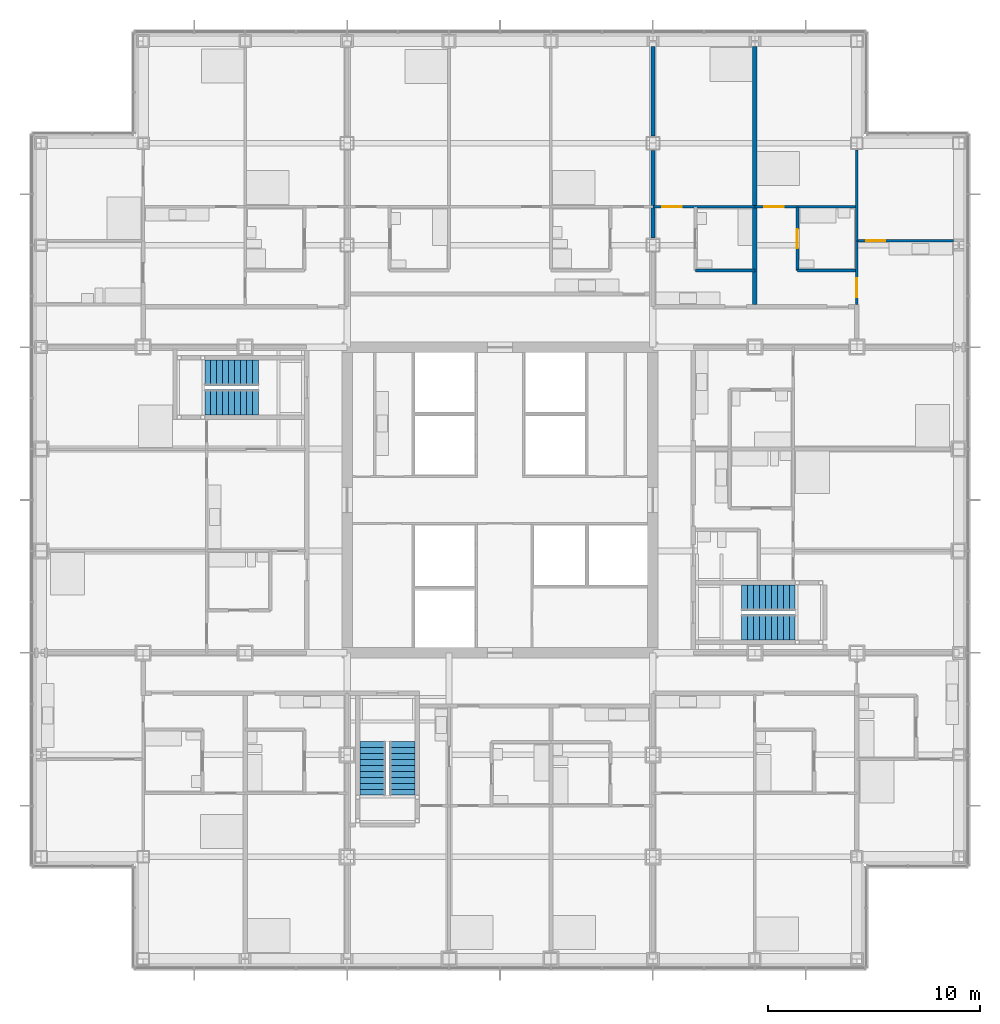
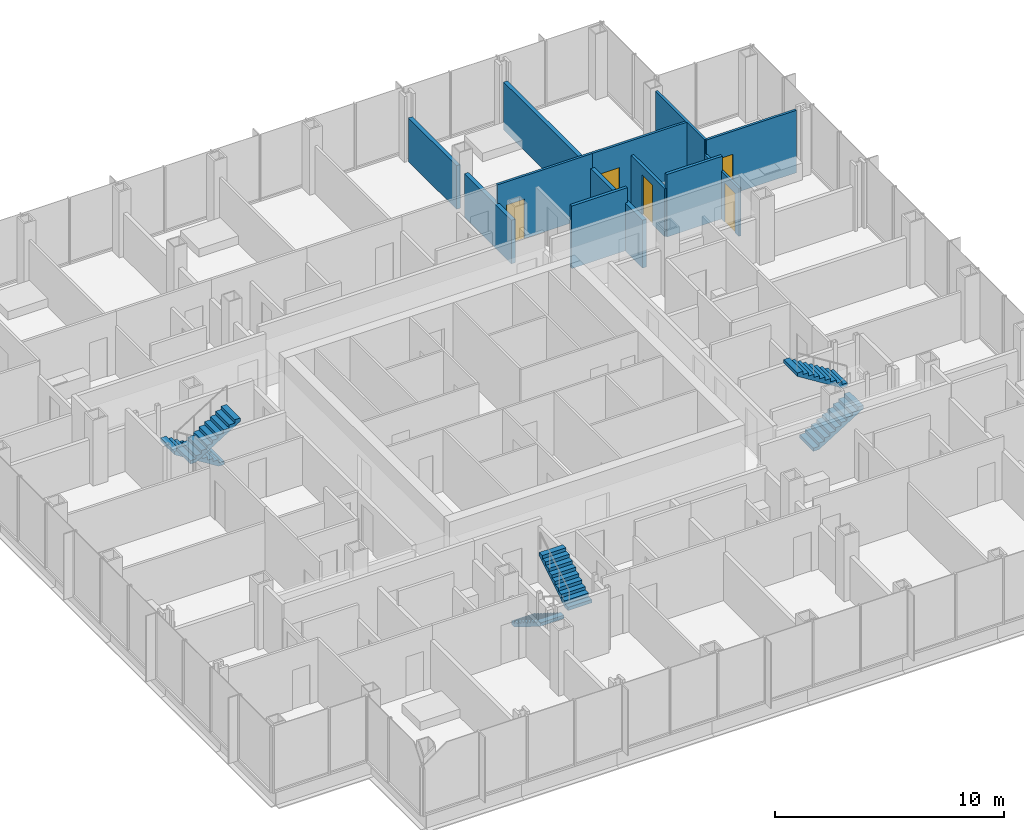
# One storey, part 18 of 21: 11 walls, 6 stair flights, 5 doors, 5 openings, 3 elements without a shape of their own.
"""IFC4 building model written with IfcOpenShell, lengths in metres."""

from ifc_helpers import new_model, si_unit, direction, frame, frame_2d, origin, place, context, subcontext, project, spatial, polyline, rectangle, outline, extrude, material, layer, layer_set, type_object, element, fill, aggregate, save


model = new_model("IFC4")

# Units and contexts
model_context = context("Model", 3, precision=1e-05, world=origin(), true_north=direction((0.0, 1.0)))
body_context = subcontext(model_context, "Body", "Model", "MODEL_VIEW")
ifc_project = project(units=[si_unit("LENGTHUNIT", "METRE"), si_unit("AREAUNIT", "SQUARE_METRE"), si_unit("VOLUMEUNIT", "CUBIC_METRE"), si_unit("PLANEANGLEUNIT", "RADIAN"), si_unit("MASSUNIT", "GRAM", prefix="KILO")], contexts=[model_context])

# Site, building, storey
site_placement = place(None, origin())
site = spatial("IfcSite", under=ifc_project, at=site_placement, CompositionType="ELEMENT")
building_placement = place(site_placement, origin())
building = spatial("IfcBuilding", under=site, at=building_placement, Name="Kvirike Care Tower", CompositionType="ELEMENT")
storey_placement = place(building_placement, frame((0.0, 0.0, 37.5)))
storey = spatial("IfcBuildingStorey", under=building, at=storey_placement, Name="L09", CompositionType="ELEMENT", Elevation=37.5)

# Wall, opening, door
ifc_material_1 = material(Name="Moisture-resistant board partition", Category="gypsum")
ifc_layer_1 = layer(ifc_material_1, 0.14990234375)
ifc_layer_set_1 = layer_set([ifc_layer_1], Name="BATHROOM WALL 150")
wall_type_1 = type_object("IfcWallType", Name="BATHROOM WALL 150", PredefinedType="PARTITIONING", material=ifc_layer_set_1)
wall_1_placement = place(storey_placement, frame((35.60009765625, 49.800048828125, 0.0), z_axis=(0.0, 0.0, 1.0), x_axis=(0.0, -1.0, 0.0)))
wall_1 = element("IfcWall", 1, at=wall_1_placement, inside=storey, type_object=wall_type_1, Name="Bathroom Wall 150 L09", PredefinedType="PARTITIONING", context=body_context, shape_type="SweptSolid", body=[
    extrude(rectangle(XDim=3.0, YDim=0.14990234375, at=frame_2d((1.5, 0.0))), origin(), (0.0, 0.0, 1.0), 2.550048828125),
])
opening_1_placement = place(wall_1_placement, frame((1.050048828125, 0.0, 0.0)))
opening_1 = element("IfcOpeningElement", 2, at=opening_1_placement, cuts=wall_1, Name="Opening 09-056", PredefinedType="OPENING", context=body_context, shape_type="SweptSolid", body=[
    extrude(rectangle(XDim=0.89990234375, YDim=2.10009765625, at=frame_2d((0.449951171875, 1.050048828125))), frame((0.0, 0.08544921875, 0.0), z_axis=(0.0, -1.0, 0.0), x_axis=(1.0, 0.0, 0.0)), (0.0, 0.0, 1.0), 0.1708984375),
])
ifc_material_2 = material(Name="Timber door set", Category="wood")
door_type_1 = type_object("IfcDoorType", Name="BATHROOM DOOR 900", OperationType="SINGLE_SWING_RIGHT", PredefinedType="DOOR", material=ifc_material_2)
door_1_placement = place(opening_1_placement, origin())
door_1 = element("IfcDoor", 3, at=door_1_placement, inside=storey, type_object=door_type_1, Name="Bathroom door", OperationType="SINGLE_SWING_LEFT", OverallHeight=2.10009765625, OverallWidth=0.89990234375, PredefinedType="DOOR", context=body_context, shape_type="SweptSolid", body=[
    extrude(rectangle(XDim=0.89990234375, YDim=2.10009765625, at=frame_2d((0.449951171875, 1.050048828125))), frame((0.0, 0.02197265625, 0.0), z_axis=(0.0, -1.0, 0.0), x_axis=(1.0, 0.0, 0.0)), (0.0, 0.0, 1.0), 0.0439453125),
])
fill(opening_1, door_1)

# Walls
wall_2_placement = place(storey_placement, frame((38.39990234375, 46.800048828125, 0.0), z_axis=(0.0, 0.0, 1.0), x_axis=(-1.0, 0.0, 0.0)))
element("IfcWall", 4, at=wall_2_placement, inside=storey, type_object=wall_type_1, Name="Bathroom Wall 150 L09", PredefinedType="PARTITIONING", context=body_context, shape_type="SweptSolid", body=[
    extrude(rectangle(XDim=2.7998046875, YDim=0.14990234375, at=frame_2d((1.39990234375, 0.0))), origin(), (0.0, 0.0, 1.0), 3.330078125),
])
wall_3_placement = place(storey_placement, frame((33.60009765625, 46.800048828125, 0.0), z_axis=(0.0, 0.0, 1.0), x_axis=(-1.0, 0.0, 0.0)))
element("IfcWall", 5, at=wall_3_placement, inside=storey, type_object=wall_type_1, Name="Bathroom Wall 150 L09", PredefinedType="PARTITIONING", context=body_context, shape_type="SweptSolid", body=[
    extrude(rectangle(XDim=2.800048828125, YDim=0.14990234375, at=frame_2d((1.39990234375, 0.0))), origin(), (0.0, 0.0, 1.0), 3.330078125),
])

# Wall, opening, door
ifc_material_3 = material(Name="Plasterboard partition", Category="gypsum")
ifc_layer_2 = layer(ifc_material_3, 0.1201171875)
ifc_layer_set_2 = layer_set([ifc_layer_2], Name="PARTITION 120")
wall_type_2 = type_object("IfcWallType", Name="PARTITION 120", PredefinedType="PARTITIONING", material=ifc_layer_set_2)
wall_4_placement = place(storey_placement, frame((38.39990234375, 48.199951171875, 0.0), z_axis=(0.0, 0.0, 1.0), x_axis=(0.0, -1.0, 0.0)))
wall_4 = element("IfcWall", 6, at=wall_4_placement, inside=storey, type_object=wall_type_2, Name="Partition 120 L09", PredefinedType="PARTITIONING", context=body_context, shape_type="SweptSolid", body=[
    extrude(rectangle(XDim=3.0, YDim=0.1201171875, at=frame_2d((1.5, 0.0))), origin(), (0.0, 0.0, 1.0), 2.550048828125),
])
opening_2_placement = place(wall_4_placement, frame((1.75, 0.0, 0.0)))
opening_2 = element("IfcOpeningElement", 7, at=opening_2_placement, cuts=wall_4, Name="Opening 09-057", PredefinedType="OPENING", context=body_context, shape_type="SweptSolid", body=[
    extrude(rectangle(XDim=0.89990234375, YDim=2.10009765625, at=frame_2d((0.449951171875, 1.050048828125))), frame((0.0, 0.070556640625, 0.0), z_axis=(0.0, -1.0, 0.0), x_axis=(1.0, 0.0, 0.0)), (0.0, 0.0, 1.0), 0.14111328125),
])
ifc_material_4 = material(Name="Timber door set", Category="wood")
door_type_2 = type_object("IfcDoorType", Name="INTERNAL DOOR 900", OperationType="SINGLE_SWING_LEFT", PredefinedType="DOOR", material=ifc_material_4)
door_2_placement = place(opening_2_placement, origin())
door_2 = element("IfcDoor", 8, at=door_2_placement, inside=storey, type_object=door_type_2, Name="Hall door", OperationType="SINGLE_SWING_RIGHT", OverallHeight=2.10009765625, OverallWidth=0.89990234375, PredefinedType="DOOR", context=body_context, shape_type="SweptSolid", body=[
    extrude(rectangle(XDim=0.89990234375, YDim=2.10009765625, at=frame_2d((0.449951171875, 1.050048828125))), frame((0.0, 0.02197265625, 0.0), z_axis=(0.0, -1.0, 0.0), x_axis=(1.0, 0.0, 0.0)), (0.0, 0.0, 1.0), 0.0439453125),
])
fill(opening_2, door_2)

wall_5_placement = place(storey_placement, frame((42.952880859375, 48.199951171875, 0.0), z_axis=(0.0, 0.0, 1.0), x_axis=(-1.0, 0.0, 0.0)))
wall_5 = element("IfcWall", 9, at=wall_5_placement, inside=storey, type_object=wall_type_2, Name="Partition 120 L09", PredefinedType="PARTITIONING", context=body_context, shape_type="SweptSolid", body=[
    extrude(rectangle(XDim=4.552978515625, YDim=0.1201171875, at=frame_2d((2.2763671875, 0.0))), origin(), (0.0, 0.0, 1.0), 3.330078125),
])
opening_3_placement = place(wall_5_placement, frame((3.202880859375, 0.0, 0.0)))
opening_3 = element("IfcOpeningElement", 10, at=opening_3_placement, cuts=wall_5, Name="Opening 09-058", PredefinedType="OPENING", context=body_context, shape_type="SweptSolid", body=[
    extrude(rectangle(XDim=0.89990234375, YDim=2.10009765625, at=frame_2d((0.449951171875, 1.050048828125))), frame((0.0, 0.070556640625, 0.0), z_axis=(0.0, -1.0, 0.0), x_axis=(1.0, 0.0, 0.0)), (0.0, 0.0, 1.0), 0.14111328125),
])
door_3_placement = place(opening_3_placement, frame((0.89990234375, 0.0, 0.0), z_axis=(0.0, 0.0, 1.0), x_axis=(-1.0, 0.0, 0.0)))
door_3 = element("IfcDoor", 11, at=door_3_placement, inside=storey, type_object=door_type_2, Name="Apartment living room door", OperationType="SINGLE_SWING_RIGHT", OverallHeight=2.10009765625, OverallWidth=0.89990234375, PredefinedType="DOOR", context=body_context, shape_type="SweptSolid", body=[
    extrude(rectangle(XDim=0.89990234375, YDim=2.10009765625, at=frame_2d((0.449951171875, 1.050048828125))), frame((0.0, 0.02197265625, 0.0), z_axis=(0.0, -1.0, 0.0), x_axis=(1.0, 0.0, 0.0)), (0.0, 0.0, 1.0), 0.0439453125),
])
fill(opening_3, door_3)

wall_6_placement = place(storey_placement, frame((38.39990234375, 49.800048828125, 0.0), z_axis=(0.0, 0.0, 1.0), x_axis=(-1.0, 0.0, 0.0)))
wall_6 = element("IfcWall", 12, at=wall_6_placement, inside=storey, type_object=wall_type_2, Name="Partition 120 L09", PredefinedType="PARTITIONING", context=body_context, shape_type="SweptSolid", body=[
    extrude(rectangle(XDim=4.7998046875, YDim=0.1201171875, at=frame_2d((2.39990234375, 0.0))), origin(), (0.0, 0.0, 1.0), 3.330078125),
])
opening_4_placement = place(wall_6_placement, frame((3.449951171875, 0.0, 0.0)))
opening_4 = element("IfcOpeningElement", 13, at=opening_4_placement, cuts=wall_6, Name="Opening 09-059", PredefinedType="OPENING", context=body_context, shape_type="SweptSolid", body=[
    extrude(rectangle(XDim=0.89990234375, YDim=2.10009765625, at=frame_2d((0.449951171875, 1.050048828125))), frame((0.0, 0.070556640625, 0.0), z_axis=(0.0, -1.0, 0.0), x_axis=(1.0, 0.0, 0.0)), (0.0, 0.0, 1.0), 0.14111328125),
])
door_4_placement = place(opening_4_placement, origin())
door_4 = element("IfcDoor", 14, at=door_4_placement, inside=storey, type_object=door_type_2, Name="Apartment bedroom door", OperationType="SINGLE_SWING_LEFT", OverallHeight=2.10009765625, OverallWidth=0.89990234375, PredefinedType="DOOR", context=body_context, shape_type="SweptSolid", body=[
    extrude(rectangle(XDim=0.89990234375, YDim=2.10009765625, at=frame_2d((0.449951171875, 1.050048828125))), frame((0.0, 0.02197265625, 0.0), z_axis=(0.0, -1.0, 0.0), x_axis=(1.0, 0.0, 0.0)), (0.0, 0.0, 1.0), 0.0439453125),
])
fill(opening_4, door_4)

# Wall
wall_7_placement = place(storey_placement, frame((38.39990234375, 52.47998046875, 0.0), z_axis=(0.0, 0.0, 1.0), x_axis=(0.0, -1.0, 0.0)))
element("IfcWall", 15, at=wall_7_placement, inside=storey, type_object=wall_type_2, Name="Partition 120 L09", PredefinedType="PARTITIONING", context=body_context, shape_type="SweptSolid", body=[
    extrude(rectangle(XDim=4.280029296875, YDim=0.1201171875, at=frame_2d((2.14013671875, 0.0))), origin(), (0.0, 0.0, 1.0), 3.330078125),
])

# Wall, opening, door
wall_8_placement = place(storey_placement, frame((33.60009765625, 49.800048828125, 0.0), z_axis=(0.0, 0.0, 1.0), x_axis=(-1.0, 0.0, 0.0)))
wall_8 = element("IfcWall", 16, at=wall_8_placement, inside=storey, type_object=wall_type_2, Name="Partition 120 L09", PredefinedType="PARTITIONING", context=body_context, shape_type="SweptSolid", body=[
    extrude(rectangle(XDim=4.800048828125, YDim=0.1201171875, at=frame_2d((2.39990234375, 0.0))), origin(), (0.0, 0.0, 1.0), 3.330078125),
])
opening_5_placement = place(wall_8_placement, frame((3.449951171875, 0.0, 0.0)))
opening_5 = element("IfcOpeningElement", 17, at=opening_5_placement, cuts=wall_8, Name="Opening 09-061", PredefinedType="OPENING", context=body_context, shape_type="SweptSolid", body=[
    extrude(rectangle(XDim=0.89990234375, YDim=2.10009765625, at=frame_2d((0.449951171875, 1.050048828125))), frame((0.0, 0.070556640625, 0.0), z_axis=(0.0, -1.0, 0.0), x_axis=(1.0, 0.0, 0.0)), (0.0, 0.0, 1.0), 0.14111328125),
])
door_5_placement = place(opening_5_placement, origin())
door_5 = element("IfcDoor", 18, at=door_5_placement, inside=storey, type_object=door_type_2, Name="Studio apartment living room door", OperationType="SINGLE_SWING_LEFT", OverallHeight=2.10009765625, OverallWidth=0.89990234375, PredefinedType="DOOR", context=body_context, shape_type="SweptSolid", body=[
    extrude(rectangle(XDim=0.89990234375, YDim=2.10009765625, at=frame_2d((0.449951171875, 1.050048828125))), frame((0.0, 0.02197265625, 0.0), z_axis=(0.0, -1.0, 0.0), x_axis=(1.0, 0.0, 0.0)), (0.0, 0.0, 1.0), 0.0439453125),
])
fill(opening_5, door_5)

# Walls
ifc_material_5 = material(Name="Plasterboard party wall", Category="gypsum")
ifc_layer_3 = layer(ifc_material_5, 0.199951171875)
ifc_layer_set_3 = layer_set([ifc_layer_3], Name="PARTY WALL 200")
wall_type_3 = type_object("IfcWallType", Name="PARTY WALL 200", PredefinedType="PARTITIONING", material=ifc_layer_set_3)
wall_9_placement = place(storey_placement, frame((33.60009765625, 57.35302734375, 0.0), z_axis=(0.0, 0.0, 1.0), x_axis=(0.0, -1.0, 0.0)))
element("IfcWall", 19, at=wall_9_placement, inside=storey, type_object=wall_type_3, Name="Party Wall 200 L09", PredefinedType="PARTITIONING", context=body_context, shape_type="SweptSolid", body=[
    extrude(rectangle(XDim=12.153076171875, YDim=0.199951171875, at=frame_2d((6.07666015625, 0.0))), origin(), (0.0, 0.0, 1.0), 2.550048828125),
])
wall_10_placement = place(storey_placement, frame((28.800048828125, 48.344970703125, 0.0), z_axis=(0.0, 0.0, 1.0), x_axis=(0.0, 1.0, 0.0)))
element("IfcWall", 20, at=wall_10_placement, inside=storey, type_object=wall_type_3, Name="Party Wall 200 L09", PredefinedType="PARTITIONING", context=body_context, shape_type="SweptSolid", body=[
    extrude(rectangle(XDim=4.110107421875, YDim=0.199951171875, at=frame_2d((2.05517578125, 0.0))), origin(), (0.0, 0.0, 1.0), 2.320068359375),
])
wall_11_placement = place(storey_placement, frame((28.800048828125, 53.14501953125, 0.0), z_axis=(0.0, 0.0, 1.0), x_axis=(0.0, 1.0, 0.0)))
element("IfcWall", 21, at=wall_11_placement, inside=storey, type_object=wall_type_3, Name="Party Wall 200 L09", PredefinedType="PARTITIONING", context=body_context, shape_type="SweptSolid", body=[
    extrude(rectangle(XDim=4.2080078125, YDim=0.199951171875, at=frame_2d((2.10400390625, 0.0))), origin(), (0.0, 0.0, 1.0), 2.320068359375),
])

# Stair, stair flights
ifc_material_6 = material(Name="Concrete C35/45", Category="concrete")
stair_type = type_object("IfcStairType", Name="STAIR 20 RISERS", PredefinedType="HALF_TURN_STAIR", material=ifc_material_6)
stair_1_placement = place(storey_placement, origin())
stair_1 = element("IfcStair", 22, at=stair_1_placement, inside=storey, type_object=stair_type, Name="Stair 1 L09", PredefinedType="HALF_TURN_STAIR")
ifc_material_7 = material(Name="Concrete C35/45", Category="concrete")
stair_flight_type = type_object("IfcStairFlightType", Name="FLIGHT 10 RISERS", PredefinedType="STRAIGHT", material=ifc_material_7)
stair_flight_1_placement = place(storey_placement, frame((10.219970703125, 42.0, 0.0), z_axis=(0.0, 0.0, 1.0), x_axis=(-1.0, 0.0, 0.0)))
stair_flight_1 = element("IfcStairFlight", 23, at=stair_flight_1_placement, type_object=stair_flight_type, Name="Stair S1 flight 1 L09-L10", NumberOfRisers=10, NumberOfTreads=9, PredefinedType="STRAIGHT", RiserHeight=0.175, TreadLength=0.28, context=body_context, shape_type="SweptSolid", body=[
    extrude(outline(polyline([(0.0, 0.0), (0.0, 0.175048828125), (0.280029296875, 0.175048828125), (0.280029296875, 0.35009765625), (0.56005859375, 0.35009765625), (0.56005859375, 0.52490234375), (0.840087890625, 0.52490234375), (0.840087890625, 0.699951171875), (1.1201171875, 0.699951171875), (1.1201171875, 0.875), (1.39990234375, 0.875), (1.39990234375, 1.050048828125), (1.679931640625, 1.050048828125), (1.679931640625, 1.22509765625), (1.9599609375, 1.22509765625), (1.9599609375, 1.39990234375), (2.239990234375, 1.39990234375), (2.239990234375, 1.574951171875), (2.52001953125, 1.574951171875), (2.52001953125, 1.75), (2.52001953125, 1.398193359375), (0.28271484375, 0.0), (0.0, 0.0)])), frame((0.0, 0.60009765625, 0.0), z_axis=(0.0, -1.0, 0.0), x_axis=(1.0, 0.0, 0.0)), (0.0, 0.0, 1.0), 1.199951171875),
])
stair_flight_2_placement = place(storey_placement, frame((7.699951171875, 40.60009765625, 1.75), z_axis=(0.0, 0.0, 1.0), x_axis=(1.0, 0.0, 0.0)))
stair_flight_2 = element("IfcStairFlight", 24, at=stair_flight_2_placement, type_object=stair_flight_type, Name="Stair S1 flight 2 L09-L10", NumberOfRisers=10, NumberOfTreads=9, PredefinedType="STRAIGHT", RiserHeight=0.175, TreadLength=0.28, context=body_context, shape_type="SweptSolid", body=[
    extrude(outline(polyline([(0.0, 0.0), (0.0, 0.175048828125), (0.280029296875, 0.175048828125), (0.280029296875, 0.35009765625), (0.56005859375, 0.35009765625), (0.56005859375, 0.52490234375), (0.840087890625, 0.52490234375), (0.840087890625, 0.699951171875), (1.1201171875, 0.699951171875), (1.1201171875, 0.875), (1.39990234375, 0.875), (1.39990234375, 1.050048828125), (1.679931640625, 1.050048828125), (1.679931640625, 1.22509765625), (1.9599609375, 1.22509765625), (1.9599609375, 1.39990234375), (2.239990234375, 1.39990234375), (2.239990234375, 1.574951171875), (2.52001953125, 1.574951171875), (2.52001953125, 1.75), (2.52001953125, 1.398193359375), (0.28271484375, 0.0), (0.0, 0.0)])), frame((0.0, 0.60009765625, 0.0), z_axis=(0.0, -1.0, 0.0), x_axis=(1.0, 0.0, 0.0)), (0.0, 0.0, 1.0), 1.199951171875),
])
aggregate(stair_1, [stair_flight_1, stair_flight_2])

stair_2_placement = place(storey_placement, origin())
stair_2 = element("IfcStair", 25, at=stair_2_placement, inside=storey, type_object=stair_type, Name="Stair 2 L09", PredefinedType="HALF_TURN_STAIR")
stair_flight_3_placement = place(storey_placement, frame((32.97998046875, 30.0, 0.0), z_axis=(0.0, 0.0, 1.0), x_axis=(1.0, 0.0, 0.0)))
stair_flight_3 = element("IfcStairFlight", 26, at=stair_flight_3_placement, type_object=stair_flight_type, Name="Stair S2 flight 1 L09-L10", NumberOfRisers=10, NumberOfTreads=9, PredefinedType="STRAIGHT", RiserHeight=0.175, TreadLength=0.28, context=body_context, shape_type="SweptSolid", body=[
    extrude(outline(polyline([(0.0, 0.0), (0.0, 0.175048828125), (0.280029296875, 0.175048828125), (0.280029296875, 0.35009765625), (0.56005859375, 0.35009765625), (0.56005859375, 0.52490234375), (0.840087890625, 0.52490234375), (0.840087890625, 0.699951171875), (1.1201171875, 0.699951171875), (1.1201171875, 0.875), (1.39990234375, 0.875), (1.39990234375, 1.050048828125), (1.679931640625, 1.050048828125), (1.679931640625, 1.22509765625), (1.9599609375, 1.22509765625), (1.9599609375, 1.39990234375), (2.239990234375, 1.39990234375), (2.239990234375, 1.574951171875), (2.52001953125, 1.574951171875), (2.52001953125, 1.75), (2.52001953125, 1.398193359375), (0.28271484375, 0.0), (0.0, 0.0)])), frame((0.0, 0.60009765625, 0.0), z_axis=(0.0, -1.0, 0.0), x_axis=(1.0, 0.0, 0.0)), (0.0, 0.0, 1.0), 1.199951171875),
])
stair_flight_4_placement = place(storey_placement, frame((35.5, 31.39990234375, 1.75), z_axis=(0.0, 0.0, 1.0), x_axis=(-1.0, 0.0, 0.0)))
stair_flight_4 = element("IfcStairFlight", 27, at=stair_flight_4_placement, type_object=stair_flight_type, Name="Stair S2 flight 2 L09-L10", NumberOfRisers=10, NumberOfTreads=9, PredefinedType="STRAIGHT", RiserHeight=0.175, TreadLength=0.28, context=body_context, shape_type="SweptSolid", body=[
    extrude(outline(polyline([(0.0, 0.0), (0.0, 0.175048828125), (0.280029296875, 0.175048828125), (0.280029296875, 0.35009765625), (0.56005859375, 0.35009765625), (0.56005859375, 0.52490234375), (0.840087890625, 0.52490234375), (0.840087890625, 0.699951171875), (1.1201171875, 0.699951171875), (1.1201171875, 0.875), (1.39990234375, 0.875), (1.39990234375, 1.050048828125), (1.679931640625, 1.050048828125), (1.679931640625, 1.22509765625), (1.9599609375, 1.22509765625), (1.9599609375, 1.39990234375), (2.239990234375, 1.39990234375), (2.239990234375, 1.574951171875), (2.52001953125, 1.574951171875), (2.52001953125, 1.75), (2.52001953125, 1.398193359375), (0.28271484375, 0.0), (0.0, 0.0)])), frame((0.0, 0.60009765625, 0.0), z_axis=(0.0, -1.0, 0.0), x_axis=(1.0, 0.0, 0.0)), (0.0, 0.0, 1.0), 1.199951171875),
])
aggregate(stair_2, [stair_flight_3, stair_flight_4])

stair_3_placement = place(storey_placement, origin())
stair_3 = element("IfcStair", 28, at=stair_3_placement, inside=storey, type_object=stair_type, Name="Stair 5 L09", PredefinedType="HALF_TURN_STAIR")
stair_flight_5_placement = place(storey_placement, frame((15.60009765625, 24.6201171875, 0.0), z_axis=(0.0, 0.0, 1.0), x_axis=(0.0, -1.0, 0.0)))
stair_flight_5 = element("IfcStairFlight", 29, at=stair_flight_5_placement, type_object=stair_flight_type, Name="Stair S5 flight 1 L09-L10", NumberOfRisers=10, NumberOfTreads=9, PredefinedType="STRAIGHT", RiserHeight=0.175, TreadLength=0.28, context=body_context, shape_type="SweptSolid", body=[
    extrude(outline(polyline([(0.0, 0.0), (0.0, 0.175048828125), (0.280029296875, 0.175048828125), (0.280029296875, 0.35009765625), (0.56005859375, 0.35009765625), (0.56005859375, 0.52490234375), (0.840087890625, 0.52490234375), (0.840087890625, 0.699951171875), (1.1201171875, 0.699951171875), (1.1201171875, 0.875), (1.39990234375, 0.875), (1.39990234375, 1.050048828125), (1.679931640625, 1.050048828125), (1.679931640625, 1.22509765625), (1.9599609375, 1.22509765625), (1.9599609375, 1.39990234375), (2.239990234375, 1.39990234375), (2.239990234375, 1.574951171875), (2.52001953125, 1.574951171875), (2.52001953125, 1.75), (2.52001953125, 1.398193359375), (0.28271484375, 0.0), (0.0, 0.0)])), frame((0.0, 0.60009765625, 0.0), z_axis=(0.0, -1.0, 0.0), x_axis=(1.0, 0.0, 0.0)), (0.0, 0.0, 1.0), 1.199951171875),
])
stair_flight_6_placement = place(storey_placement, frame((17.0, 22.10009765625, 1.75), z_axis=(0.0, 0.0, 1.0), x_axis=(0.0, 1.0, 0.0)))
stair_flight_6 = element("IfcStairFlight", 30, at=stair_flight_6_placement, type_object=stair_flight_type, Name="Stair S5 flight 2 L09-L10", NumberOfRisers=10, NumberOfTreads=9, PredefinedType="STRAIGHT", RiserHeight=0.175, TreadLength=0.28, context=body_context, shape_type="SweptSolid", body=[
    extrude(outline(polyline([(0.0, 0.0), (0.0, 0.175048828125), (0.280029296875, 0.175048828125), (0.280029296875, 0.35009765625), (0.56005859375, 0.35009765625), (0.56005859375, 0.52490234375), (0.840087890625, 0.52490234375), (0.840087890625, 0.699951171875), (1.1201171875, 0.699951171875), (1.1201171875, 0.875), (1.39990234375, 0.875), (1.39990234375, 1.050048828125), (1.679931640625, 1.050048828125), (1.679931640625, 1.22509765625), (1.9599609375, 1.22509765625), (1.9599609375, 1.39990234375), (2.239990234375, 1.39990234375), (2.239990234375, 1.574951171875), (2.52001953125, 1.574951171875), (2.52001953125, 1.75), (2.52001953125, 1.398193359375), (0.28271484375, 0.0), (0.0, 0.0)])), frame((0.0, 0.60009765625, 0.0), z_axis=(0.0, -1.0, 0.0), x_axis=(1.0, 0.0, 0.0)), (0.0, 0.0, 1.0), 1.199951171875),
])
aggregate(stair_3, [stair_flight_5, stair_flight_6])

save(model, "model.ifc")
